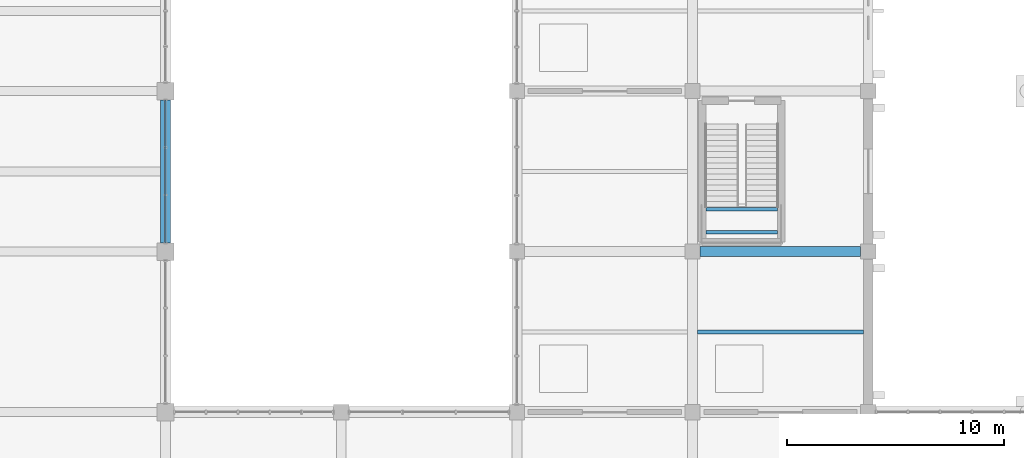
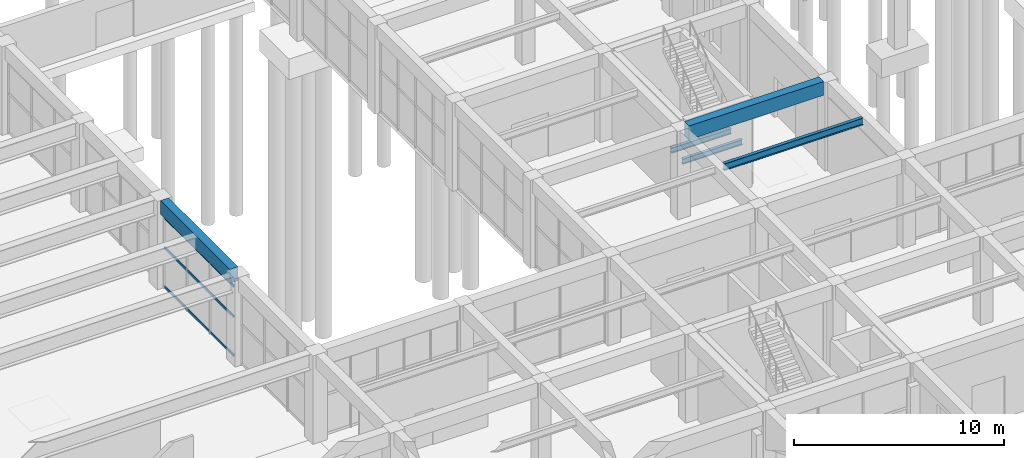
# One storey, part 48 of 140: 5 beams, 3 members, 1 element without a shape of its own.
"""IFC4 building model written with IfcOpenShell, lengths in metres."""

from ifc_helpers import new_model, si_unit, direction, frame, origin, origin_2d, place, context, subcontext, project, spatial, rectangle, hollow_rectangle, i_section, extrude, material, material_profile, profile_set, type_object, element, aggregate, save


model = new_model("IFC4")

# Units and contexts
model_context = context("Model", 3, precision=1e-05, world=origin(), true_north=direction((0.0, 1.0)))
body_context = subcontext(model_context, "Body", "Model", "MODEL_VIEW")
ifc_project = project(units=[si_unit("LENGTHUNIT", "METRE"), si_unit("AREAUNIT", "SQUARE_METRE"), si_unit("VOLUMEUNIT", "CUBIC_METRE"), si_unit("PLANEANGLEUNIT", "RADIAN"), si_unit("MASSUNIT", "GRAM", prefix="KILO")], contexts=[model_context])

# Site, building, storey
site_placement = place(None, origin())
site = spatial("IfcSite", under=ifc_project, at=site_placement, CompositionType="ELEMENT")
building_placement = place(site_placement, origin())
building = spatial("IfcBuilding", under=site, at=building_placement, Name="Cimatlan Art Gallery", CompositionType="ELEMENT")
storey_placement = place(building_placement, origin())
storey = spatial("IfcBuildingStorey", under=building, at=storey_placement, Name="L00", CompositionType="ELEMENT", Elevation=0.0)

# Beams
ifc_material_1 = material(Name="Concrete C40/50", Category="concrete")
ifc_material_profile_1 = material_profile(ifc_material_1, rectangle(XDim=0.449951171875, YDim=0.800048828125, at=origin_2d()), Name="RC450X800")
ifc_profile_set_1 = profile_set([ifc_material_profile_1], Name="Concrete C40/50")
beam_type_1 = type_object("IfcBeamType", Name="BM-RC-450X800", PredefinedType="BEAM", material=ifc_profile_set_1)
beam_1_placement = place(storey_placement, frame((99.199951171875, 46.5, 4.735107421875), z_axis=(0.0, 1.0, 0.0), x_axis=(-1.0, 0.0, 0.0)))
element("IfcBeam", 1, at=beam_1_placement, inside=storey, type_object=beam_type_1, Name="BM-Y-L00-12-06", PredefinedType="BEAM", context=body_context, shape_type="SweptSolid", body=[
    extrude(rectangle(XDim=0.449951171875, YDim=0.800048828125, at=origin_2d()), origin(), (0.0, 0.0, 1.0), 6.60009765625),
])
beam_2_placement = place(storey_placement, frame((123.85009765625, 46.10009765625, 4.735107421875), z_axis=(1.0, 0.0, 0.0), x_axis=(0.0, 1.0, 0.0)))
element("IfcBeam", 2, at=beam_2_placement, inside=storey, type_object=beam_type_1, Name="BM-X-L00-15-06", PredefinedType="BEAM", context=body_context, shape_type="SweptSolid", body=[
    extrude(rectangle(XDim=0.449951171875, YDim=0.800048828125, at=origin_2d()), origin(), (0.0, 0.0, 1.0), 7.39990234375),
])
ifc_material_2 = material(Name="Steel ASTM A992 Grade 50", Category="steel")
ifc_material_profile_2 = material_profile(ifc_material_2, i_section(OverallWidth=0.1650390625, OverallDepth=0.31005859375, WebThickness=0.005859375, FlangeThickness=0.009765625, at=origin_2d()), Name="W12X26")
ifc_profile_set_2 = profile_set([ifc_material_profile_2], Name="Steel ASTM A992 Grade 50")
beam_type_2 = type_object("IfcBeamType", Name="BM-STL-W12X26", PredefinedType="JOIST", material=ifc_profile_set_2)
for number, where, z_axis, x_axis, name in (
    (3, (124.114990234375, 47.0, 2.324951171875), (1.0, 0.0, 0.0), (0.0, 1.0, 0.0), "BM-STR-C9-L00-LH1"),
    (4, (124.114990234375, 48.054931640625, 2.324951171875), (1.0, 0.0, 0.0), (0.0, 1.0, 0.0), "BM-STR-C9-L00-LH2"),
):
    element("IfcBeam", number, at=place(storey_placement, frame(where, z_axis=z_axis, x_axis=x_axis)), inside=storey, type_object=beam_type_2, Name=name, PredefinedType="JOIST", context=body_context, shape_type="SweptSolid", body=[
        extrude(i_section(OverallWidth=0.1650390625, OverallDepth=0.31005859375, WebThickness=0.005859375, FlangeThickness=0.009765625, at=origin_2d()), origin(), (0.0, 0.0, 1.0), 3.2900390625),
    ])
ifc_material_profile_3 = material_profile(ifc_material_2, i_section(OverallWidth=0.177978515625, OverallDepth=0.406982421875, WebThickness=0.0078125, FlangeThickness=0.0126953125, at=origin_2d()), Name="W16X40")
ifc_profile_set_3 = profile_set([ifc_material_profile_3], Name="Steel ASTM A992 Grade 50")
beam_type_3 = type_object("IfcBeamType", Name="BM-STL-W16X40", PredefinedType="JOIST", material=ifc_profile_set_3)
beam_3_placement = place(storey_placement, frame((123.72509765625, 42.39990234375, 4.931396484375), z_axis=(1.0, 0.0, 0.0), x_axis=(0.0, 1.0, 0.0)))
element("IfcBeam", 5, at=beam_3_placement, inside=storey, type_object=beam_type_3, Name="JST-L00-15-05", PredefinedType="JOIST", context=body_context, shape_type="SweptSolid", body=[
    extrude(i_section(OverallWidth=0.177978515625, OverallDepth=0.406982421875, WebThickness=0.0078125, FlangeThickness=0.0126953125, at=origin_2d()), origin(), (0.0, 0.0, 1.0), 7.64990234375),
])

# Curtain wall, members
ifc_material_3 = material(Name="Anodised bronze unitised curtain wall")
curtain_wall_type = type_object("IfcCurtainWallType", Name="CW-V-06592X04148-B3", PredefinedType="NOTDEFINED", material=ifc_material_3)
curtain_wall_placement = place(storey_placement, origin())
curtain_wall = element("IfcCurtainWall", 6, at=curtain_wall_placement, inside=storey, type_object=curtain_wall_type, Name="CW-L00-11-06-E", PredefinedType="NOTDEFINED")
ifc_material_4 = material(Name="Anodised bronze aluminium 6063-T6", Category="aluminium")
ifc_material_profile_4 = material_profile(ifc_material_4, hollow_rectangle(XDim=0.06494140625, YDim=0.139892578125, WallThickness=0.00390625, at=origin_2d()), Name="ALU65X140X4")
ifc_profile_set_4 = profile_set([ifc_material_profile_4], Name="Anodised bronze aluminium 6063-T6")
member_type = type_object("IfcMemberType", Name="CW-TRN-140", PredefinedType="USERDEFINED", material=ifc_profile_set_4)
member_1_placement = place(storey_placement, frame((99.199951171875, 53.095947265625, 0.06005859375), z_axis=(0.0, -1.0, 0.0), x_axis=(1.0, 0.0, 0.0)))
member_1 = element("IfcMember", 7, at=member_1_placement, type_object=member_type, Name="CW-L00-11-06-E-T1", ObjectType="TRANSOM", PredefinedType="USERDEFINED", context=body_context, shape_type="SweptSolid", body=[
    extrude(hollow_rectangle(XDim=0.06494140625, YDim=0.139892578125, WallThickness=0.00390625, at=origin_2d()), origin(), (0.0, 0.0, 1.0), 6.592041015625),
])
member_2_placement = place(storey_placement, frame((99.199951171875, 53.095947265625, 2.322998046875), z_axis=(0.0, -1.0, 0.0), x_axis=(1.0, 0.0, 0.0)))
member_2 = element("IfcMember", 8, at=member_2_placement, type_object=member_type, Name="CW-L00-11-06-E-T2", ObjectType="TRANSOM", PredefinedType="USERDEFINED", context=body_context, shape_type="SweptSolid", body=[
    extrude(hollow_rectangle(XDim=0.06494140625, YDim=0.139892578125, WallThickness=0.00390625, at=origin_2d()), origin(), (0.0, 0.0, 1.0), 6.592041015625),
])
member_3_placement = place(storey_placement, frame((99.199951171875, 53.095947265625, 4.087890625), z_axis=(0.0, -1.0, 0.0), x_axis=(1.0, 0.0, 0.0)))
member_3 = element("IfcMember", 9, at=member_3_placement, type_object=member_type, Name="CW-L00-11-06-E-T3", ObjectType="TRANSOM", PredefinedType="USERDEFINED", context=body_context, shape_type="SweptSolid", body=[
    extrude(hollow_rectangle(XDim=0.06494140625, YDim=0.139892578125, WallThickness=0.00390625, at=origin_2d()), origin(), (0.0, 0.0, 1.0), 6.592041015625),
])
aggregate(curtain_wall, [member_1, member_2, member_3])

save(model, "model.ifc")
